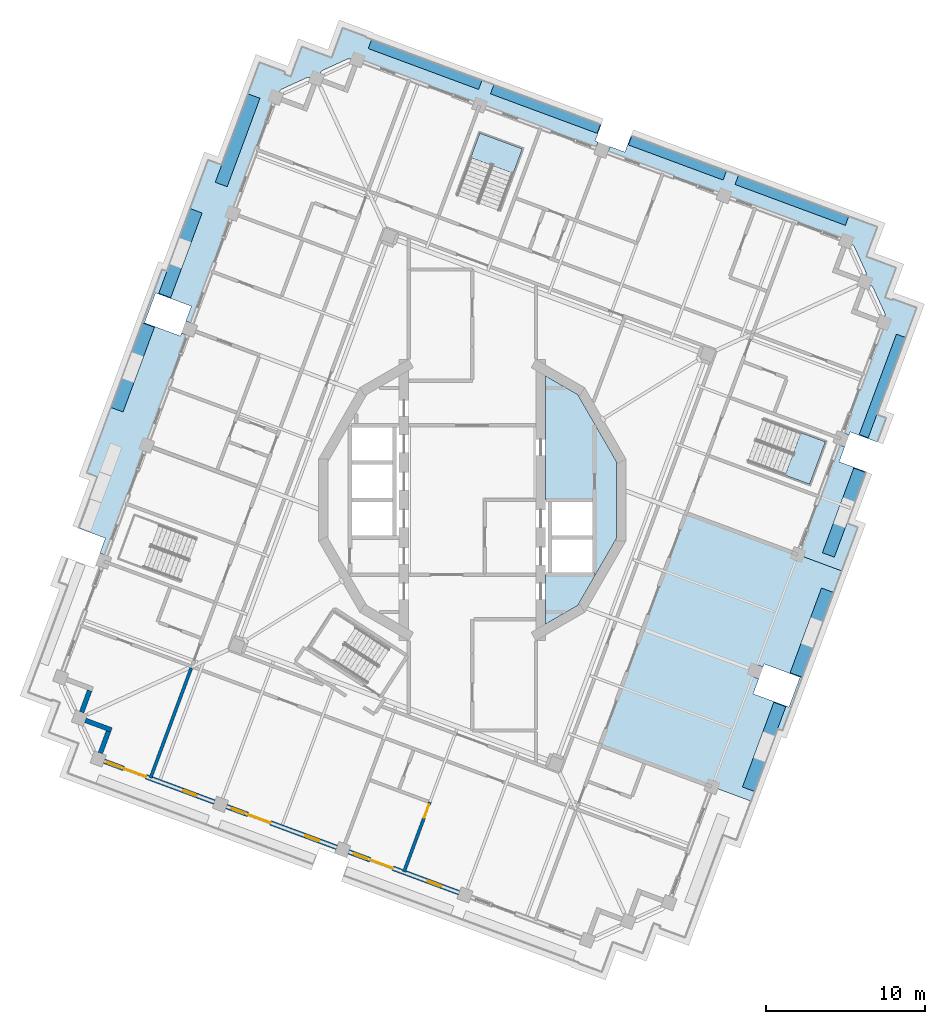
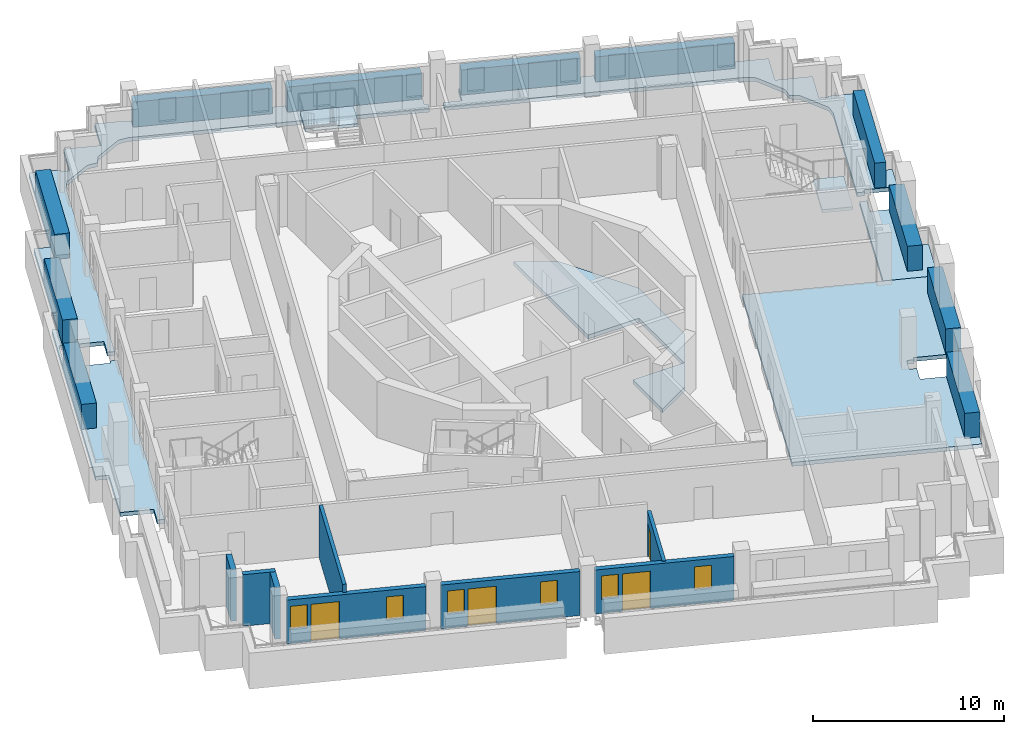
# One storey, part 3 of 19: 11 plates, 8 walls, 7 slabs, 6 windows, 4 doors, 10 openings, 2 elements without a shape of their own.
"""IFC4 building model written with IfcOpenShell, lengths in metres."""

from ifc_helpers import new_model, si_unit, direction, frame, frame_2d, origin, origin_2d, place, context, subcontext, project, spatial, polyline, rectangle, outline, extrude, material, layer, layer_set, type_object, element, fill, aggregate, save


model = new_model("IFC4")

# Units and contexts
model_context = context("Model", 3, precision=1e-05, world=origin(), true_north=direction((0.0, 1.0)))
body_context = subcontext(model_context, "Body", "Model", "MODEL_VIEW")
ifc_project = project(units=[si_unit("LENGTHUNIT", "METRE"), si_unit("AREAUNIT", "SQUARE_METRE"), si_unit("VOLUMEUNIT", "CUBIC_METRE"), si_unit("PLANEANGLEUNIT", "RADIAN"), si_unit("MASSUNIT", "GRAM", prefix="KILO")], contexts=[model_context])

# Site, building, storey
site_placement = place(None, origin())
site = spatial("IfcSite", under=ifc_project, at=site_placement, CompositionType="ELEMENT")
building_placement = place(site_placement, origin())
building = spatial("IfcBuilding", under=site, at=building_placement, Name="Cantera Rosa Tower", CompositionType="ELEMENT")
storey_placement = place(building_placement, frame((0.0, 0.0, 327.699951171875)))
storey = spatial("IfcBuildingStorey", under=building, at=storey_placement, Name="L73", CompositionType="ELEMENT", Elevation=327.699951171875)

# Slabs
ifc_material_1 = material(Name="Concrete C35/45", Category="concrete")
ifc_layer_1 = layer(ifc_material_1, 0.25)
ifc_layer_set_1 = layer_set([ifc_layer_1], Name="COMPOSITE FLOOR SLAB 250 C35/45")
slab_type_1 = type_object("IfcSlabType", Name="COMPOSITE FLOOR SLAB 250 C35/45", PredefinedType="FLOOR", material=ifc_layer_set_1)
slab_1_placement = place(storey_placement, frame((0.0, 0.0, -0.25)))
element("IfcSlab", 1, at=slab_1_placement, inside=storey, type_object=slab_type_1, Name="SLAB L73 floor 3", PredefinedType="FLOOR", context=body_context, shape_type="SweptSolid", body=[
    extrude(outline(polyline([(4.60009765625, 7.804931640625), (6.6318359375, 6.6318359375), (9.059326171875, 2.427490234375), (9.059326171875, -2.427490234375), (6.6318359375, -6.6318359375), (4.60009765625, -7.804931640625), (4.60009765625, -4.699951171875), (7.699951171875, -4.699951171875), (7.699951171875, -2.35009765625), (7.699951171875, 0.0), (4.60009765625, 0.0), (4.60009765625, 7.804931640625)])), origin(), (0.0, 0.0, 1.0), 0.25),
])
ifc_material_2 = material(Name="Concrete C35/45", Category="concrete")
ifc_layer_2 = layer(ifc_material_2, 0.25)
ifc_layer_set_2 = layer_set([ifc_layer_2], Name="LOGGIA SLAB 250 C35/45")
slab_type_2 = type_object("IfcSlabType", Name="LOGGIA SLAB 250 C35/45", PredefinedType="FLOOR", material=ifc_layer_set_2)
slab_2_placement = place(storey_placement, frame((0.0, 0.0, -0.25)))
element("IfcSlab", 2, at=slab_2_placement, inside=storey, type_object=slab_type_2, Name="LOGGIA SLAB L73 2", PredefinedType="FLOOR", context=body_context, shape_type="SweptSolid", body=[
    extrude(outline(polyline([(-15.762451171875, 21.065185546875), (-13.373779296875, 27.511474609375), (-11.779541015625, 26.920654296875), (-11.833251953125, 26.776123046875), (-11.4072265625, 26.618408203125), (-11.24951171875, 27.044189453125), (-10.71240234375, 28.49365234375), (-9.2626953125, 27.95654296875), (-8.8369140625, 27.798583984375), (-8.14208984375, 29.674072265625), (-6.6923828125, 29.136962890625), (-6.70849609375, 29.093994140625), (-0.42578125, 26.765869140625), (2.38720703125, 25.723388671875), (7.26318359375, 23.91650390625), (8.10693359375, 23.603759765625), (7.724853515625, 22.572265625), (7.912353515625, 22.502685546875), (7.7734375, 22.127685546875), (-6.25048828125, 27.32470703125), (-7.2294921875, 27.6875), (-7.6962890625, 27.74755859375), (-7.7255859375, 27.750732421875), (-7.7548828125, 27.751220703125), (-7.784423828125, 27.74853515625), (-7.813232421875, 27.7431640625), (-7.841552734375, 27.735107421875), (-7.868896484375, 27.72412109375), (-9.4111328125, 27.015625), (-9.437255859375, 27.002197265625), (-9.4619140625, 26.986083984375), (-9.48486328125, 26.9677734375), (-9.505859375, 26.947021484375), (-9.52490234375, 26.924560546875), (-9.54150390625, 26.900146484375), (-9.800048828125, 26.507080078125), (-10.2666015625, 26.567138671875), (-10.2958984375, 26.5703125), (-10.325439453125, 26.57080078125), (-10.354736328125, 26.568115234375), (-10.383544921875, 26.562744140625), (-10.411865234375, 26.554443359375), (-10.439208984375, 26.543701171875), (-11.9814453125, 25.835205078125), (-12.007568359375, 25.82177734375), (-12.0322265625, 25.8056640625), (-12.05517578125, 25.787353515625), (-12.076171875, 25.7666015625), (-12.09521484375, 25.744140625), (-12.11181640625, 25.7197265625), (-12.370361328125, 25.32666015625), (-12.733154296875, 24.347412109375), (-17.63818359375, 11.111328125), (-18.01318359375, 11.250244140625), (-17.665771484375, 12.18798828125), (-19.916259765625, 13.02197265625), (-20.611083984375, 11.146484375), (-18.360595703125, 10.3125), (-18.291259765625, 10.5), (-17.916015625, 10.361083984375), (-23.044921875, -3.47900390625), (-23.419921875, -3.340087890625), (-23.072509765625, -2.40234375), (-24.760498046875, -1.77685546875), (-23.55810546875, 1.468505859375), (-24.23193359375, 1.71826171875), (-19.5, 14.48779296875), (-19.205810546875, 14.378662109375), (-16.611328125, 21.3798828125), (-15.762451171875, 21.065185546875)])), origin(), (0.0, 0.0, 1.0), 0.25),
])
slab_3_placement = place(storey_placement, frame((0.0, 0.0, -0.25)))
element("IfcSlab", 3, at=slab_3_placement, inside=storey, type_object=slab_type_2, Name="LOGGIA SLAB L73 4", PredefinedType="FLOOR", context=body_context, shape_type="SweptSolid", body=[
    extrude(outline(polyline([(24.93310546875, 15.768798828125), (24.75927734375, 15.300048828125), (25.22802734375, 15.126220703125), (26.634765625, 14.60498046875), (26.11328125, 13.198486328125), (25.939697265625, 12.729736328125), (26.408447265625, 12.555908203125), (26.439697265625, 12.639892578125), (27.930419921875, 12.087646484375), (25.439208984375, 5.364990234375), (26.01171875, 5.15283203125), (25.45556640625, 3.652099609375), (23.767578125, 4.27783203125), (23.697998046875, 4.09033203125), (23.322998046875, 4.229248046875), (25.88720703125, 11.1494140625), (25.947509765625, 11.6162109375), (25.95068359375, 11.6455078125), (25.950927734375, 11.6748046875), (25.948486328125, 11.7041015625), (25.943115234375, 11.733154296875), (25.934814453125, 11.76123046875), (25.923828125, 11.788818359375), (25.215576171875, 13.330810546875), (25.201904296875, 13.35693359375), (25.18603515625, 13.381591796875), (25.16748046875, 13.404541015625), (25.14697265625, 13.42578125), (25.12451171875, 13.444580078125), (25.10009765625, 13.461181640625), (24.706787109375, 13.7197265625), (24.76708984375, 14.186279296875), (24.770263671875, 14.2158203125), (24.7705078125, 14.2451171875), (24.76806640625, 14.2744140625), (24.7626953125, 14.303466796875), (24.75439453125, 14.331787109375), (24.743408203125, 14.35888671875), (24.03515625, 15.901123046875), (24.021484375, 15.92724609375), (24.005615234375, 15.951904296875), (23.987060546875, 15.974853515625), (23.966552734375, 15.99609375), (23.944091796875, 16.014892578125), (23.919677734375, 16.031494140625), (23.526611328125, 16.2900390625), (8.5234375, 21.849853515625), (8.66259765625, 22.224853515625), (9.60009765625, 21.87744140625), (9.982421875, 22.90869140625), (10.076171875, 22.8740234375), (14.9521484375, 21.067138671875), (17.76513671875, 20.024658203125), (24.047607421875, 17.696533203125), (25.454345703125, 17.17529296875), (24.93310546875, 15.768798828125)])), origin(), (0.0, 0.0, 1.0), 0.25),
])
slab_4_placement = place(storey_placement, frame((0.0, 0.0, -0.25)))
element("IfcSlab", 4, at=slab_4_placement, inside=storey, type_object=slab_type_2, Name="LOGGIA SLAB L73 5", PredefinedType="FLOOR", context=body_context, shape_type="SweptSolid", body=[
    extrude(outline(polyline([(24.760498046875, 1.77685546875), (23.55810546875, -1.468505859375), (24.23193359375, -1.71826171875), (23.2177734375, -4.455322265625), (20.48046875, -3.44091796875), (23.044921875, 3.47900390625), (23.419921875, 3.340087890625), (23.072509765625, 2.40234375), (24.760498046875, 1.77685546875)])), origin(), (0.0, 0.0, 1.0), 0.25),
])

# Plates
ifc_material_3 = material(Name="Cantera stone planter with soil", Category="masonry")
plate_type_1 = type_object("IfcPlateType", Name="PLANTER 600", PredefinedType="USERDEFINED", material=ifc_material_3)
plate_1_placement = place(storey_placement, frame((20.098876953125, 18.83984375, 0.0), z_axis=(0.0, 0.0, 1.0), x_axis=(-0.937686936924, 0.347481234489, 0.0)))
element("IfcPlate", 5, at=plate_1_placement, inside=storey, type_object=plate_type_1, Name="PLANTER L73-01", ObjectType="PLANTER", PredefinedType="USERDEFINED", context=body_context, shape_type="SweptSolid", body=[
    extrude(rectangle(XDim=7.39990234375, YDim=0.60009765625, at=origin_2d()), origin(), (0.0, 0.0, 1.0), 1.60009765625),
])
plate_2_placement = place(storey_placement, frame((12.902099609375, 21.5068359375, 0.0), z_axis=(0.0, 0.0, 1.0), x_axis=(-0.937686936924, 0.347481234489, 0.0)))
element("IfcPlate", 6, at=plate_2_placement, inside=storey, type_object=plate_type_1, Name="PLANTER L73-02", ObjectType="PLANTER", PredefinedType="USERDEFINED", context=body_context, shape_type="SweptSolid", body=[
    extrude(rectangle(XDim=6.35009765625, YDim=0.60009765625, at=origin_2d()), origin(), (0.0, 0.0, 1.0), 1.60009765625),
])
plate_3_placement = place(storey_placement, frame((4.603759765625, 24.58203125, 0.0), z_axis=(0.0, 0.0, 1.0), x_axis=(-0.937686936924, 0.347481234489, 0.0)))
element("IfcPlate", 7, at=plate_3_placement, inside=storey, type_object=plate_type_1, Name="PLANTER L73-03", ObjectType="PLANTER", PredefinedType="USERDEFINED", context=body_context, shape_type="SweptSolid", body=[
    extrude(rectangle(XDim=7.14990234375, YDim=0.60009765625, at=origin_2d()), origin(), (0.0, 0.0, 1.0), 1.60009765625),
])
plate_4_placement = place(storey_placement, frame((-2.968017578125, 27.387939453125, 0.0), z_axis=(0.0, 0.0, 1.0), x_axis=(-0.937686936924, 0.347481234489, 0.0)))
element("IfcPlate", 8, at=plate_4_placement, inside=storey, type_object=plate_type_1, Name="PLANTER L73-04", ObjectType="PLANTER", PredefinedType="USERDEFINED", context=body_context, shape_type="SweptSolid", body=[
    extrude(rectangle(XDim=7.39990234375, YDim=0.60009765625, at=origin_2d()), origin(), (0.0, 0.0, 1.0), 1.60009765625),
])
plate_5_placement = place(storey_placement, frame((25.788330078125, 7.1708984375, 0.0), z_axis=(0.0, 0.0, 1.0), x_axis=(0.347481234489, 0.937686936924, 0.0)))
element("IfcPlate", 9, at=plate_5_placement, inside=storey, type_object=plate_type_1, Name="PLANTER L73-18", ObjectType="PLANTER", PredefinedType="USERDEFINED", context=body_context, shape_type="SweptSolid", body=[
    extrude(rectangle(XDim=6.72998046875, YDim=0.60009765625, at=origin_2d()), origin(), (0.0, 0.0, 1.0), 1.60009765625),
])
ifc_material_4 = material(Name="Cantera stone planter with soil", Category="masonry")
plate_type_2 = type_object("IfcPlateType", Name="PLANTER 800", PredefinedType="USERDEFINED", material=ifc_material_4)
plate_6_placement = place(storey_placement, frame((-14.758544921875, 22.623046875, 0.0), z_axis=(0.0, 0.0, 1.0), x_axis=(-0.347481234489, -0.937686936924, 0.0)))
element("IfcPlate", 10, at=plate_6_placement, inside=storey, type_object=plate_type_2, Name="PLANTER L73-05", ObjectType="PLANTER", PredefinedType="USERDEFINED", context=body_context, shape_type="SweptSolid", body=[
    extrude(rectangle(XDim=5.929931640625, YDim=0.800048828125, at=origin_2d()), origin(), (0.0, 0.0, 1.0), 1.60009765625),
])
for number, where, z_axis, x_axis, name in (
    (11, (-18.3544921875, 15.525146484375, 0.0), (0.0, 0.0, 1.0), (-0.347481234489, -0.937686936924, 0.0), "PLANTER L73-06"),
    (12, (-21.351806640625, 8.339111328125, 0.0), (0.0, 0.0, 1.0), (-0.347481234489, -0.937686936924, 0.0), "PLANTER L73-07"),
    (13, (18.3544921875, -15.525146484375, 0.0), (0.0, 0.0, 1.0), (0.347481234489, 0.937686936924, 0.0), "PLANTER L73-15"),
    (14, (21.351806640625, -8.339111328125, 0.0), (0.0, 0.0, 1.0), (0.347481234489, 0.937686936924, 0.0), "PLANTER L73-16"),
    (15, (23.38134765625, -0.7939453125, 0.0), (0.0, 0.0, 1.0), (0.347481234489, 0.937686936924, 0.0), "PLANTER L73-17"),
):
    element("IfcPlate", number, at=place(storey_placement, frame(where, z_axis=z_axis, x_axis=x_axis)), inside=storey, type_object=plate_type_2, Name=name, ObjectType="PLANTER", PredefinedType="USERDEFINED", context=body_context, shape_type="SweptSolid", body=[
        extrude(rectangle(XDim=5.679931640625, YDim=0.800048828125, at=origin_2d()), origin(), (0.0, 0.0, 1.0), 1.60009765625),
    ])

# Stair, slab
ifc_material_5 = material(Name="Concrete C35/45", Category="concrete")
stair_type = type_object("IfcStairType", Name="EXIT STAIR 1350 DOGLEG", PredefinedType="HALF_TURN_STAIR", material=ifc_material_5)
stair_1_placement = place(storey_placement, origin())
stair_1 = element("IfcStair", 16, at=stair_1_placement, inside=storey, type_object=stair_type, Name="L73 ST-61", PredefinedType="HALF_TURN_STAIR")
ifc_material_6 = material(Name="Concrete C35/45", Category="concrete")
ifc_layer_3 = layer(ifc_material_6, 0.199951171875)
ifc_layer_set_3 = layer_set([ifc_layer_3], Name="STAIR LANDING 200")
slab_type_3 = type_object("IfcSlabType", Name="STAIR LANDING 200", PredefinedType="LANDING", material=ifc_layer_set_3)
slab_5_placement = place(storey_placement, frame((0.0, 0.0, 1.60009765625)))
slab_5 = element("IfcSlab", 17, at=slab_5_placement, type_object=slab_type_3, Name="ST-61 landing 1", PredefinedType="LANDING", context=body_context, shape_type="SweptSolid", body=[
    extrude(outline(polyline([(19.67626953125, 1.56005859375), (21.2158203125, 0.989501953125), (22.206298828125, 3.661865234375), (20.66650390625, 4.232421875), (19.67626953125, 1.56005859375)])), origin(), (0.0, 0.0, 1.0), 0.199951171875),
])
aggregate(stair_1, [slab_5])

stair_2_placement = place(storey_placement, origin())
stair_2 = element("IfcStair", 18, at=stair_2_placement, inside=storey, type_object=stair_type, Name="L73 ST-62", PredefinedType="HALF_TURN_STAIR")
slab_6_placement = place(storey_placement, frame((0.0, 0.0, 1.60009765625)))
slab_6 = element("IfcSlab", 19, at=slab_6_placement, type_object=slab_type_3, Name="ST-62 landing 1", PredefinedType="LANDING", context=body_context, shape_type="SweptSolid", body=[
    extrude(outline(polyline([(2.573974609375, 20.543701171875), (3.14453125, 22.08349609375), (0.47216796875, 23.07373046875), (-0.098388671875, 21.5341796875), (2.573974609375, 20.543701171875)])), origin(), (0.0, 0.0, 1.0), 0.199951171875),
])
aggregate(stair_2, [slab_6])

# Slab
ifc_material_7 = material(Name="Concrete C35/45", Category="concrete")
ifc_layer_4 = layer(ifc_material_7, 0.25)
ifc_layer_set_4 = layer_set([ifc_layer_4], Name="TERRACE SLAB 250 C35/45")
slab_type_4 = type_object("IfcSlabType", Name="TERRACE SLAB 250 C35/45", PredefinedType="FLOOR", material=ifc_layer_set_4)
slab_7_placement = place(storey_placement, frame((0.0, 0.0, -0.25)))
element("IfcSlab", 20, at=slab_7_placement, inside=storey, type_object=slab_type_4, Name="TERRACE SLAB L73 1", PredefinedType="FLOOR", context=body_context, shape_type="SweptSolid", body=[
    extrude(outline(polyline([(19.5, -14.48779296875), (19.205810546875, -14.378662109375), (17.516845703125, -18.936767578125), (15.07373046875, -18.031494140625), (8.041015625, -15.42529296875), (13.447998046875, -0.8349609375), (20.48046875, -3.44091796875), (23.2177734375, -4.455322265625), (19.5, -14.48779296875)]), holes=[polyline([(19.916259765625, -13.02197265625), (20.611083984375, -11.146484375), (18.360595703125, -10.3125), (18.291259765625, -10.5), (17.916015625, -10.361083984375), (17.841552734375, -10.5625), (17.63818359375, -11.111328125), (18.01318359375, -11.250244140625), (17.665771484375, -12.18798828125), (19.916259765625, -13.02197265625)])]), origin(), (0.0, 0.0, 1.0), 0.25),
])

# Walls
ifc_material_8 = material(Name="Hollow clay masonry with cantera stone cladding", Category="masonry")
ifc_layer_5 = layer(ifc_material_8, 0.300048828125)
ifc_layer_set_5 = layer_set([ifc_layer_5], Name="EW-LOGGIA 300")
wall_type_1 = type_object("IfcWallType", Name="EW-LOGGIA 300", PredefinedType="SOLIDWALL", material=ifc_layer_set_5)
wall_1_placement = place(storey_placement, frame((-24.06396484375, -11.985107421875, 0.0), z_axis=(0.0, 0.0, 1.0), x_axis=(-0.347522732201, -0.937671557958, 0.0)))
element("IfcWall", 21, at=wall_1_placement, inside=storey, type_object=wall_type_1, Name="EN-L73-W12b", PredefinedType="SOLIDWALL", context=body_context, shape_type="SweptSolid", body=[
    extrude(rectangle(XDim=1.449951171875, YDim=0.300048828125, at=frame_2d((0.72509765625, 0.0))), origin(), (0.0, 0.0, 1.0), 3.300048828125),
])
wall_2_placement = place(storey_placement, frame((-24.331787109375, -13.858642578125, 0.0), z_axis=(0.0, 0.0, 1.0), x_axis=(0.937669639538, -0.34752790836, 0.0)))
element("IfcWall", 22, at=wall_2_placement, inside=storey, type_object=wall_type_1, Name="EN-L73-W13a", PredefinedType="SOLIDWALL", context=body_context, shape_type="SweptSolid", body=[
    extrude(rectangle(XDim=1.75, YDim=0.300048828125, at=frame_2d((0.875, 0.0))), origin(), (0.0, 0.0, 1.0), 3.300048828125),
])
wall_3_placement = place(storey_placement, frame((-22.883544921875, -14.555419921875, 0.0), z_axis=(0.0, 0.0, 1.0), x_axis=(-0.347522732201, -0.937671557958, 0.0)))
element("IfcWall", 23, at=wall_3_placement, inside=storey, type_object=wall_type_1, Name="EN-L73-W13b", PredefinedType="SOLIDWALL", context=body_context, shape_type="SweptSolid", body=[
    extrude(rectangle(XDim=1.449951171875, YDim=0.300048828125, at=frame_2d((0.72509765625, 0.0))), origin(), (0.0, 0.0, 1.0), 3.300048828125),
])

# Wall, openings, windows, door
ifc_material_9 = material(Name="Hollow clay masonry with cantera stone cladding", Category="masonry")
ifc_layer_6 = layer(ifc_material_9, 0.300048828125)
ifc_layer_set_6 = layer_set([ifc_layer_6], Name="EW-LOGGIA 300 H2820")
wall_type_2 = type_object("IfcWallType", Name="EW-LOGGIA 300 H2820", PredefinedType="SOLIDWALL", material=ifc_layer_set_6)
wall_4_placement = place(storey_placement, frame((-23.1513671875, -16.428955078125, 0.0), z_axis=(0.0, 0.0, 1.0), x_axis=(0.937676706507, -0.347508840281, 0.0)))
wall_4 = element("IfcWall", 24, at=wall_4_placement, inside=storey, type_object=wall_type_2, Name="EN-L73-W14", PredefinedType="SOLIDWALL", context=body_context, shape_type="SweptSolid", body=[
    extrude(rectangle(XDim=7.39990234375, YDim=0.300048828125, at=frame_2d((3.699951171875, 0.0))), origin(), (0.0, 0.0, 1.0), 2.820068359375),
])
opening_1_placement = place(wall_4_placement, frame((0.199951171875, 0.0, 0.89990234375)))
opening_1 = element("IfcOpeningElement", 25, at=opening_1_placement, cuts=wall_4, Name="Opening L73-W28", PredefinedType="OPENING", context=body_context, shape_type="SweptSolid", body=[
    extrude(rectangle(XDim=0.89990234375, YDim=1.5, at=frame_2d((0.449951171875, 0.75))), frame((0.0, 0.159912109375, 0.0), z_axis=(0.0, -1.0, 0.0), x_axis=(1.0, 0.0, 0.0)), (0.0, 0.0, 1.0), 0.320068359375),
])
opening_2_placement = place(wall_4_placement, frame((1.300048828125, 0.0, 0.0)))
opening_2 = element("IfcOpeningElement", 26, at=opening_2_placement, cuts=wall_4, Name="Opening L73-TD29", PredefinedType="OPENING", context=body_context, shape_type="SweptSolid", body=[
    extrude(rectangle(XDim=1.5, YDim=2.39990234375, at=frame_2d((0.75, 1.199951171875))), frame((0.0, 0.159912109375, 0.0), z_axis=(0.0, -1.0, 0.0), x_axis=(1.0, 0.0, 0.0)), (0.0, 0.0, 1.0), 0.320068359375),
])
opening_3_placement = place(wall_4_placement, frame((5.300048828125, 0.0, 0.89990234375)))
opening_3 = element("IfcOpeningElement", 27, at=opening_3_placement, cuts=wall_4, Name="Opening L73-W30", PredefinedType="OPENING", context=body_context, shape_type="SweptSolid", body=[
    extrude(rectangle(XDim=0.89990234375, YDim=1.5, at=frame_2d((0.449951171875, 0.75))), frame((0.0, 0.159912109375, 0.0), z_axis=(0.0, -1.0, 0.0), x_axis=(1.0, 0.0, 0.0)), (0.0, 0.0, 1.0), 0.320068359375),
])
ifc_material_10 = material(Name="Aluminium frame with clear glass", Category="aluminium")
window_type = type_object("IfcWindowType", Name="Residential window 900x1500", PartitioningType="SINGLE_PANEL", PredefinedType="WINDOW", material=ifc_material_10)
window_1_placement = place(opening_1_placement, origin())
window_1 = element("IfcWindow", 28, at=window_1_placement, inside=storey, type_object=window_type, Name="WINDOW L73-W28", OverallHeight=1.5, OverallWidth=0.89990234375, PartitioningType="SINGLE_PANEL", PredefinedType="WINDOW", context=body_context, shape_type="SweptSolid", body=[
    extrude(rectangle(XDim=0.89990234375, YDim=1.5, at=frame_2d((0.449951171875, 0.75))), frame((0.0, 0.030029296875, 0.0), z_axis=(0.0, -1.0, 0.0), x_axis=(1.0, 0.0, 0.0)), (0.0, 0.0, 1.0), 0.06005859375),
])
fill(opening_1, window_1)
window_2_placement = place(opening_3_placement, origin())
window_2 = element("IfcWindow", 29, at=window_2_placement, inside=storey, type_object=window_type, Name="WINDOW L73-W30", OverallHeight=1.5, OverallWidth=0.89990234375, PartitioningType="SINGLE_PANEL", PredefinedType="WINDOW", context=body_context, shape_type="SweptSolid", body=[
    extrude(rectangle(XDim=0.89990234375, YDim=1.5, at=frame_2d((0.449951171875, 0.75))), frame((0.0, 0.030029296875, 0.0), z_axis=(0.0, -1.0, 0.0), x_axis=(1.0, 0.0, 0.0)), (0.0, 0.0, 1.0), 0.06005859375),
])
fill(opening_3, window_2)
ifc_material_11 = material(Name="Aluminium frame with clear glass", Category="aluminium")
door_type_1 = type_object("IfcDoorType", Name="TD-R 1500x2400", OperationType="NOTDEFINED", PredefinedType="DOOR", material=ifc_material_11)
door_1_placement = place(opening_2_placement, origin())
door_1 = element("IfcDoor", 30, at=door_1_placement, inside=storey, type_object=door_type_1, Name="LOGGIA DOOR L73-TD29", OperationType="SLIDING_TO_LEFT", OverallHeight=2.39990234375, OverallWidth=1.5, PredefinedType="DOOR", context=body_context, shape_type="SweptSolid", body=[
    extrude(rectangle(XDim=1.5, YDim=2.39990234375, at=frame_2d((0.75, 1.199951171875))), frame((0.0, 0.02490234375, 0.0), z_axis=(0.0, -1.0, 0.0), x_axis=(1.0, 0.0, 0.0)), (0.0, 0.0, 1.0), 0.050048828125),
])
fill(opening_2, door_1)

wall_5_placement = place(storey_placement, frame((-15.46240234375, -19.2783203125, 0.0), z_axis=(0.0, 0.0, 1.0), x_axis=(0.937680690562, -0.34749808999, 0.0)))
wall_5 = element("IfcWall", 31, at=wall_5_placement, inside=storey, type_object=wall_type_2, Name="EN-L73-W15", PredefinedType="SOLIDWALL", context=body_context, shape_type="SweptSolid", body=[
    extrude(rectangle(XDim=7.400146484375, YDim=0.300048828125, at=frame_2d((3.7001953125, 0.0))), origin(), (0.0, 0.0, 1.0), 2.820068359375),
])
opening_4_placement = place(wall_5_placement, frame((0.35009765625, 0.0, 0.89990234375)))
opening_4 = element("IfcOpeningElement", 32, at=opening_4_placement, cuts=wall_5, Name="Opening L73-W31", PredefinedType="OPENING", context=body_context, shape_type="SweptSolid", body=[
    extrude(rectangle(XDim=0.89990234375, YDim=1.5, at=frame_2d((0.449951171875, 0.75))), frame((0.0, 0.159912109375, 0.0), z_axis=(0.0, -1.0, 0.0), x_axis=(1.0, 0.0, 0.0)), (0.0, 0.0, 1.0), 0.320068359375),
])
opening_5_placement = place(wall_5_placement, frame((1.449951171875, 0.0, 0.0)))
opening_5 = element("IfcOpeningElement", 33, at=opening_5_placement, cuts=wall_5, Name="Opening L73-TD32", PredefinedType="OPENING", context=body_context, shape_type="SweptSolid", body=[
    extrude(rectangle(XDim=1.5, YDim=2.39990234375, at=frame_2d((0.75, 1.199951171875))), frame((0.0, 0.159912109375, 0.0), z_axis=(0.0, -1.0, 0.0), x_axis=(1.0, 0.0, 0.0)), (0.0, 0.0, 1.0), 0.320068359375),
])
opening_6_placement = place(wall_5_placement, frame((5.300048828125, 0.0, 0.89990234375)))
opening_6 = element("IfcOpeningElement", 34, at=opening_6_placement, cuts=wall_5, Name="Opening L73-W33", PredefinedType="OPENING", context=body_context, shape_type="SweptSolid", body=[
    extrude(rectangle(XDim=0.89990234375, YDim=1.5, at=frame_2d((0.449951171875, 0.75))), frame((0.0, 0.159912109375, 0.0), z_axis=(0.0, -1.0, 0.0), x_axis=(1.0, 0.0, 0.0)), (0.0, 0.0, 1.0), 0.320068359375),
])
window_3_placement = place(opening_4_placement, origin())
window_3 = element("IfcWindow", 35, at=window_3_placement, inside=storey, type_object=window_type, Name="WINDOW L73-W31", OverallHeight=1.5, OverallWidth=0.89990234375, PartitioningType="SINGLE_PANEL", PredefinedType="WINDOW", context=body_context, shape_type="SweptSolid", body=[
    extrude(rectangle(XDim=0.89990234375, YDim=1.5, at=frame_2d((0.449951171875, 0.75))), frame((0.0, 0.030029296875, 0.0), z_axis=(0.0, -1.0, 0.0), x_axis=(1.0, 0.0, 0.0)), (0.0, 0.0, 1.0), 0.06005859375),
])
fill(opening_4, window_3)
window_4_placement = place(opening_6_placement, origin())
window_4 = element("IfcWindow", 36, at=window_4_placement, inside=storey, type_object=window_type, Name="WINDOW L73-W33", OverallHeight=1.5, OverallWidth=0.89990234375, PartitioningType="SINGLE_PANEL", PredefinedType="WINDOW", context=body_context, shape_type="SweptSolid", body=[
    extrude(rectangle(XDim=0.89990234375, YDim=1.5, at=frame_2d((0.449951171875, 0.75))), frame((0.0, 0.030029296875, 0.0), z_axis=(0.0, -1.0, 0.0), x_axis=(1.0, 0.0, 0.0)), (0.0, 0.0, 1.0), 0.06005859375),
])
fill(opening_6, window_4)
door_2_placement = place(opening_5_placement, origin())
door_2 = element("IfcDoor", 37, at=door_2_placement, inside=storey, type_object=door_type_1, Name="LOGGIA DOOR L73-TD32", OperationType="SLIDING_TO_LEFT", OverallHeight=2.39990234375, OverallWidth=1.5, PredefinedType="DOOR", context=body_context, shape_type="SweptSolid", body=[
    extrude(rectangle(XDim=1.5, YDim=2.39990234375, at=frame_2d((0.75, 1.199951171875))), frame((0.0, 0.02490234375, 0.0), z_axis=(0.0, -1.0, 0.0), x_axis=(1.0, 0.0, 0.0)), (0.0, 0.0, 1.0), 0.050048828125),
])
fill(opening_5, door_2)

wall_6_placement = place(storey_placement, frame((-7.7734375, -22.127685546875, 0.0), z_axis=(0.0, 0.0, 1.0), x_axis=(0.937680690562, -0.34749808999, 0.0)))
wall_6 = element("IfcWall", 38, at=wall_6_placement, inside=storey, type_object=wall_type_2, Name="EN-L73-W16", PredefinedType="SOLIDWALL", context=body_context, shape_type="SweptSolid", body=[
    extrude(rectangle(XDim=7.400146484375, YDim=0.300048828125, at=frame_2d((3.7001953125, 0.0))), origin(), (0.0, 0.0, 1.0), 2.820068359375),
])
opening_7_placement = place(wall_6_placement, frame((0.35009765625, 0.0, 0.89990234375)))
opening_7 = element("IfcOpeningElement", 39, at=opening_7_placement, cuts=wall_6, Name="Opening L73-W34", PredefinedType="OPENING", context=body_context, shape_type="SweptSolid", body=[
    extrude(rectangle(XDim=0.89990234375, YDim=1.5, at=frame_2d((0.449951171875, 0.75))), frame((0.0, 0.159912109375, 0.0), z_axis=(0.0, -1.0, 0.0), x_axis=(1.0, 0.0, 0.0)), (0.0, 0.0, 1.0), 0.320068359375),
])
opening_8_placement = place(wall_6_placement, frame((1.449951171875, 0.0, 0.0)))
opening_8 = element("IfcOpeningElement", 40, at=opening_8_placement, cuts=wall_6, Name="Opening L73-TD35", PredefinedType="OPENING", context=body_context, shape_type="SweptSolid", body=[
    extrude(rectangle(XDim=1.5, YDim=2.39990234375, at=frame_2d((0.75, 1.199951171875))), frame((0.0, 0.159912109375, 0.0), z_axis=(0.0, -1.0, 0.0), x_axis=(1.0, 0.0, 0.0)), (0.0, 0.0, 1.0), 0.320068359375),
])
opening_9_placement = place(wall_6_placement, frame((5.300048828125, 0.0, 0.89990234375)))
opening_9 = element("IfcOpeningElement", 41, at=opening_9_placement, cuts=wall_6, Name="Opening L73-W36", PredefinedType="OPENING", context=body_context, shape_type="SweptSolid", body=[
    extrude(rectangle(XDim=0.89990234375, YDim=1.5, at=frame_2d((0.449951171875, 0.75))), frame((0.0, 0.159912109375, 0.0), z_axis=(0.0, -1.0, 0.0), x_axis=(1.0, 0.0, 0.0)), (0.0, 0.0, 1.0), 0.320068359375),
])
window_5_placement = place(opening_7_placement, origin())
window_5 = element("IfcWindow", 42, at=window_5_placement, inside=storey, type_object=window_type, Name="WINDOW L73-W34", OverallHeight=1.5, OverallWidth=0.89990234375, PartitioningType="SINGLE_PANEL", PredefinedType="WINDOW", context=body_context, shape_type="SweptSolid", body=[
    extrude(rectangle(XDim=0.89990234375, YDim=1.5, at=frame_2d((0.449951171875, 0.75))), frame((0.0, 0.030029296875, 0.0), z_axis=(0.0, -1.0, 0.0), x_axis=(1.0, 0.0, 0.0)), (0.0, 0.0, 1.0), 0.06005859375),
])
fill(opening_7, window_5)
window_6_placement = place(opening_9_placement, origin())
window_6 = element("IfcWindow", 43, at=window_6_placement, inside=storey, type_object=window_type, Name="WINDOW L73-W36", OverallHeight=1.5, OverallWidth=0.89990234375, PartitioningType="SINGLE_PANEL", PredefinedType="WINDOW", context=body_context, shape_type="SweptSolid", body=[
    extrude(rectangle(XDim=0.89990234375, YDim=1.5, at=frame_2d((0.449951171875, 0.75))), frame((0.0, 0.030029296875, 0.0), z_axis=(0.0, -1.0, 0.0), x_axis=(1.0, 0.0, 0.0)), (0.0, 0.0, 1.0), 0.06005859375),
])
fill(opening_9, window_6)
door_3_placement = place(opening_8_placement, origin())
door_3 = element("IfcDoor", 44, at=door_3_placement, inside=storey, type_object=door_type_1, Name="LOGGIA DOOR L73-TD35", OperationType="SLIDING_TO_LEFT", OverallHeight=2.39990234375, OverallWidth=1.5, PredefinedType="DOOR", context=body_context, shape_type="SweptSolid", body=[
    extrude(rectangle(XDim=1.5, YDim=2.39990234375, at=frame_2d((0.75, 1.199951171875))), frame((0.0, 0.02490234375, 0.0), z_axis=(0.0, -1.0, 0.0), x_axis=(1.0, 0.0, 0.0)), (0.0, 0.0, 1.0), 0.050048828125),
])
fill(opening_8, door_3)

# Wall, opening, door
ifc_material_12 = material(Name="Gypsum board partition")
ifc_layer_7 = layer(ifc_material_12, 0.199951171875)
ifc_layer_set_7 = layer_set([ifc_layer_7], Name="PARTITION 200 H2850")
wall_type_3 = type_object("IfcWallType", Name="PARTITION 200 H2850", PredefinedType="PARTITIONING", material=ifc_layer_set_7)
wall_7_placement = place(storey_placement, frame((-2.6708984375, -19.00634765625, 0.0), z_axis=(0.0, 0.0, 1.0), x_axis=(-0.347453975961, -0.937697037741, 0.0)))
wall_7 = element("IfcWall", 45, at=wall_7_placement, inside=storey, type_object=wall_type_3, Name="PARTITION L73-059", PredefinedType="PARTITIONING", context=body_context, shape_type="SweptSolid", body=[
    extrude(rectangle(XDim=4.669921875, YDim=0.199951171875, at=frame_2d((2.3349609375, 0.0))), origin(), (0.0, 0.0, 1.0), 2.85009765625),
])
opening_10_placement = place(wall_7_placement, frame((0.14990234375, 0.0, 0.0)))
opening_10 = element("IfcOpeningElement", 46, at=opening_10_placement, cuts=wall_7, Name="Opening L73-044", PredefinedType="OPENING", context=body_context, shape_type="SweptSolid", body=[
    extrude(rectangle(XDim=0.89990234375, YDim=2.10009765625, at=frame_2d((0.449951171875, 1.050048828125))), frame((0.0, 0.10986328125, 0.0), z_axis=(0.0, -1.0, 0.0), x_axis=(1.0, 0.0, 0.0)), (0.0, 0.0, 1.0), 0.219970703125),
])
ifc_material_13 = material(Name="Timber door leaf", Category="wood")
door_type_2 = type_object("IfcDoorType", Name="ROOM DOOR 900x2100", OperationType="NOTDEFINED", PredefinedType="DOOR", material=ifc_material_13)
door_4_placement = place(opening_10_placement, origin())
door_4 = element("IfcDoor", 47, at=door_4_placement, inside=storey, type_object=door_type_2, Name="DOOR L73-044", OperationType="NOTDEFINED", OverallHeight=2.10009765625, OverallWidth=0.89990234375, PredefinedType="DOOR", context=body_context, shape_type="SweptSolid", body=[
    extrude(rectangle(XDim=0.89990234375, YDim=2.10009765625, at=frame_2d((0.449951171875, 1.050048828125))), frame((0.0, 0.02490234375, 0.0), z_axis=(0.0, -1.0, 0.0), x_axis=(1.0, 0.0, 0.0)), (0.0, 0.0, 1.0), 0.050048828125),
])
fill(opening_10, door_4)

# Wall
ifc_material_14 = material(Name="Gypsum board partition")
ifc_layer_8 = layer(ifc_material_14, 0.199951171875)
ifc_layer_set_8 = layer_set([ifc_layer_8], Name="PARTY WALL 200 H3350")
wall_type_4 = type_object("IfcWallType", Name="PARTY WALL 200 H3350", PredefinedType="PARTITIONING", material=ifc_layer_set_8)
wall_8_placement = place(storey_placement, frame((-17.673095703125, -10.5673828125, 0.0), z_axis=(0.0, 0.0, 1.0), x_axis=(-0.347497764109, -0.937680811331, 0.0)))
element("IfcWall", 48, at=wall_8_placement, inside=storey, type_object=wall_type_4, Name="PARTY WALL L73-006", PredefinedType="PARTITIONING", context=body_context, shape_type="SweptSolid", body=[
    extrude(rectangle(XDim=7.369873046875, YDim=0.199951171875, at=frame_2d((3.68505859375, 0.0))), origin(), (0.0, 0.0, 1.0), 3.35009765625),
])

save(model, "model.ifc")
